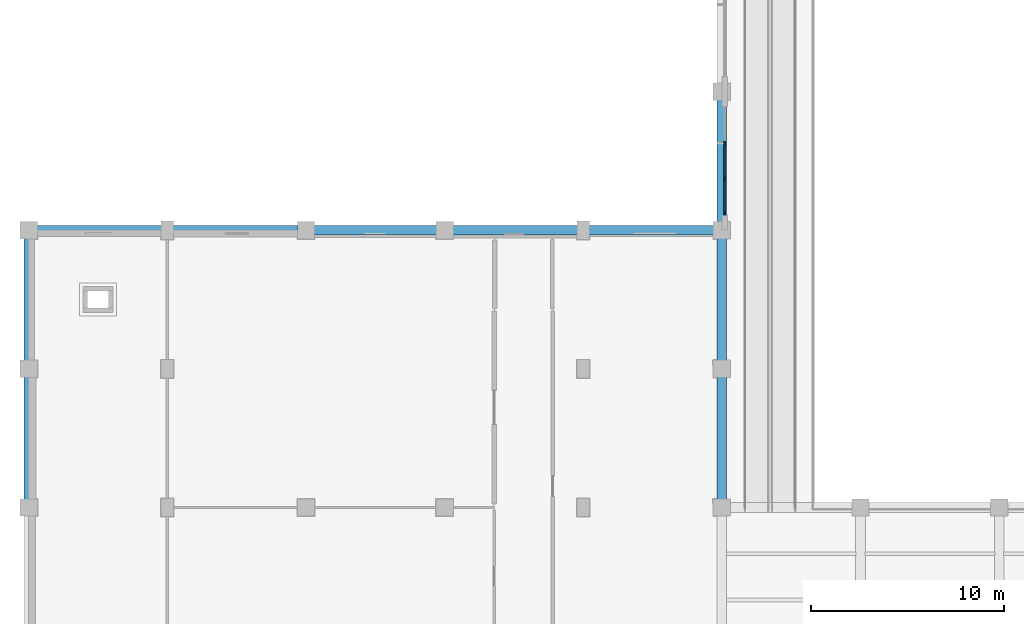
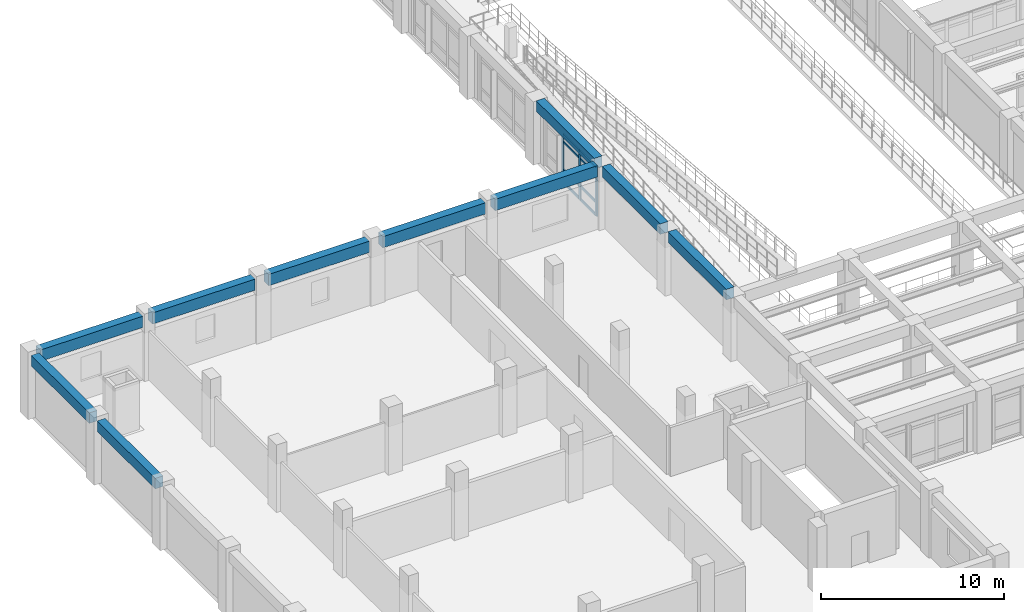
# One storey, part 6 of 69: 11 members, 10 beams, 1 element without a shape of its own.
"""IFC4 building model written with IfcOpenShell, lengths in metres."""

from ifc_helpers import new_model, si_unit, direction, frame, origin, origin_2d, place, context, subcontext, project, spatial, rectangle, extrude, material, layer, layer_set, material_profile, profile_set, type_object, element, aggregate, save


model = new_model("IFC4")

# Units and contexts
model_context = context("Model", 3, precision=1e-05, world=origin(), true_north=direction((0.0, 1.0)))
body_context = subcontext(model_context, "Body", "Model", "MODEL_VIEW")
ifc_project = project(units=[si_unit("LENGTHUNIT", "METRE"), si_unit("AREAUNIT", "SQUARE_METRE"), si_unit("VOLUMEUNIT", "CUBIC_METRE"), si_unit("PLANEANGLEUNIT", "RADIAN"), si_unit("MASSUNIT", "GRAM", prefix="KILO")], contexts=[model_context])

# Site, building, storey
site_placement = place(None, origin())
site = spatial("IfcSite", under=ifc_project, at=site_placement, CompositionType="ELEMENT")
building_placement = place(site_placement, origin())
building = spatial("IfcBuilding", under=site, at=building_placement, Name="Solenvale Faculty of Natural Sciences", CompositionType="ELEMENT")
storey_placement = place(building_placement, frame((0.0, 0.0, 4.5)))
storey = spatial("IfcBuildingStorey", under=building, at=storey_placement, Name="L01", CompositionType="ELEMENT", Elevation=4.5)

# Beams
ifc_material_1 = material(Name="Concrete 40 MPa", Category="concrete")
ifc_material_profile_1 = material_profile(ifc_material_1, rectangle(XDim=0.5, YDim=0.699951171875, at=origin_2d()), Name="RC-BM-500x700")
ifc_profile_set_1 = profile_set([ifc_material_profile_1], Name="Concrete 40 MPa")
beam_type_1 = type_object("IfcBeamType", Name="BM-RC-500x700", PredefinedType="BEAM", material=ifc_profile_set_1)
for number, where, z_axis, x_axis, name in (
    (1, (0.0, 29.22998046875, 3.8701171875), (0.0, 1.0, 0.0), (-1.0, 0.0, 0.0), "L01 Y-Girder X0.0 (28.8..36.0)"),
    (2, (0.0, 36.429931640625, 3.8701171875), (0.0, 1.0, 0.0), (-1.0, 0.0, 0.0), "L01 Y-Girder X0.0 (36.0..43.2)"),
    (3, (36.0, 29.22998046875, 3.8701171875), (0.0, 1.0, 0.0), (-1.0, 0.0, 0.0), "L01 Y-Girder X36.0 (28.8..36.0)"),
    (4, (36.0, 36.429931640625, 3.8701171875), (0.0, 1.0, 0.0), (-1.0, 0.0, 0.0), "L01 Y-Girder X36.0 (36.0..43.2)"),
    (5, (36.0, 43.6298828125, 3.8701171875), (0.0, 1.0, 0.0), (-1.0, 0.0, 0.0), "L01 Y-Girder X36.0 (43.2..50.4)"),
):
    element("IfcBeam", number, at=place(storey_placement, frame(where, z_axis=z_axis, x_axis=x_axis)), inside=storey, type_object=beam_type_1, Name=name, PredefinedType="BEAM", context=body_context, shape_type="SweptSolid", body=[
        extrude(rectangle(XDim=0.5, YDim=0.699951171875, at=origin_2d()), origin(), (0.0, 0.0, 1.0), 6.340087890625),
    ])
ifc_material_profile_2 = material_profile(ifc_material_1, rectangle(XDim=0.5, YDim=0.75, at=origin_2d()), Name="RC-BM-500x750")
ifc_profile_set_2 = profile_set([ifc_material_profile_2], Name="Concrete 40 MPa")
beam_type_2 = type_object("IfcBeamType", Name="BM-RC-500x750", PredefinedType="BEAM", material=ifc_profile_set_2)
for number, where, z_axis, x_axis, name in (
    (6, (0.429931640625, 43.199951171875, 3.844970703125), (1.0, 0.0, 0.0), (0.0, 1.0, 0.0), "L01 X-Girder Y43.2 (0.0..7.2)"),
    (7, (7.5048828125, 43.199951171875, 3.844970703125), (1.0, 0.0, 0.0), (0.0, 1.0, 0.0), "L01 X-Girder Y43.2 (7.2..14.4)"),
):
    element("IfcBeam", number, at=place(storey_placement, frame(where, z_axis=z_axis, x_axis=x_axis)), inside=storey, type_object=beam_type_2, Name=name, PredefinedType="BEAM", context=body_context, shape_type="SweptSolid", body=[
        extrude(rectangle(XDim=0.5, YDim=0.75, at=origin_2d()), origin(), (0.0, 0.0, 1.0), 6.465087890625),
    ])
beam_placement = place(storey_placement, frame((14.830078125, 43.199951171875, 3.844970703125), z_axis=(1.0, 0.0, 0.0), x_axis=(0.0, 1.0, 0.0)))
element("IfcBeam", 8, at=beam_placement, inside=storey, type_object=beam_type_2, Name="L01 X-Girder Y43.2 (14.4..21.6)", PredefinedType="BEAM", context=body_context, shape_type="SweptSolid", body=[
    extrude(rectangle(XDim=0.5, YDim=0.75, at=origin_2d()), origin(), (0.0, 0.0, 1.0), 6.33984375),
])
for number, where, z_axis, x_axis, name in (
    (9, (22.030029296875, 43.199951171875, 3.844970703125), (1.0, 0.0, 0.0), (0.0, 1.0, 0.0), "L01 X-Girder Y43.2 (21.6..28.8)"),
    (10, (29.10498046875, 43.199951171875, 3.844970703125), (1.0, 0.0, 0.0), (0.0, 1.0, 0.0), "L01 X-Girder Y43.2 (28.8..36.0)"),
):
    element("IfcBeam", number, at=place(storey_placement, frame(where, z_axis=z_axis, x_axis=x_axis)), inside=storey, type_object=beam_type_2, Name=name, PredefinedType="BEAM", context=body_context, shape_type="SweptSolid", body=[
        extrude(rectangle(XDim=0.5, YDim=0.75, at=origin_2d()), origin(), (0.0, 0.0, 1.0), 6.465087890625),
    ])

# Curtain wall, members
ifc_material_2 = material(Name="Anodised bronze aluminium", Category="aluminium")
ifc_layer = layer(ifc_material_2, 0.215087890625)
ifc_layer_set = layer_set([ifc_layer], Name="Anodised bronze aluminium")
curtain_wall_type = type_object("IfcCurtainWallType", Name="CW-ATR-UNIT", PredefinedType="USERDEFINED", material=ifc_layer_set)
curtain_wall_placement = place(storey_placement, origin())
curtain_wall = element("IfcCurtainWall", 11, at=curtain_wall_placement, inside=storey, type_object=curtain_wall_type, Name="L01 Curtain Wall CW-L01-P1-E14-B7", ObjectType="UNITISED CURTAIN WALL", PredefinedType="USERDEFINED")
ifc_material_profile_3 = material_profile(ifc_material_2, rectangle(XDim=0.074951171875, YDim=0.2099609375, at=origin_2d()), Name="ALU-MUL-75x210")
ifc_profile_set_3 = profile_set([ifc_material_profile_3], Name="Anodised bronze aluminium")
member_type_1 = type_object("IfcMemberType", Name="CWM-ALU-75x210", PredefinedType="MULLION", material=ifc_profile_set_3)
member_1_placement = place(storey_placement, frame((36.142578125, 47.716552734375, 0.0), z_axis=(0.0, 0.0, 1.0), x_axis=(1.0, 0.0, 0.0)))
member_1 = element("IfcMember", 12, at=member_1_placement, type_object=member_type_1, Name="CW-01 mullion 2", PredefinedType="MULLION", context=body_context, shape_type="SweptSolid", body=[
    extrude(rectangle(XDim=0.074951171875, YDim=0.2099609375, at=origin_2d()), origin(), (0.0, 0.0, 1.0), 3.260009765625),
])
member_2_placement = place(storey_placement, frame((36.142578125, 45.88330078125, 0.0), z_axis=(0.0, 0.0, 1.0), x_axis=(1.0, 0.0, 0.0)))
member_2 = element("IfcMember", 13, at=member_2_placement, type_object=member_type_1, Name="CW-01 mullion 3", PredefinedType="MULLION", context=body_context, shape_type="SweptSolid", body=[
    extrude(rectangle(XDim=0.074951171875, YDim=0.2099609375, at=origin_2d()), origin(), (0.0, 0.0, 1.0), 3.260009765625),
])
member_3_placement = place(storey_placement, frame((36.142578125, 44.08740234375, 0.0), z_axis=(0.0, 0.0, 1.0), x_axis=(1.0, 0.0, 0.0)))
member_3 = element("IfcMember", 14, at=member_3_placement, type_object=member_type_1, Name="CW-01 mullion 4", PredefinedType="MULLION", context=body_context, shape_type="SweptSolid", body=[
    extrude(rectangle(XDim=0.074951171875, YDim=0.2099609375, at=origin_2d()), origin(), (0.0, 0.0, 1.0), 3.260009765625),
])
ifc_material_profile_4 = material_profile(ifc_material_2, rectangle(XDim=0.074951171875, YDim=0.155029296875, at=origin_2d()), Name="ALU-TRN-75x155")
ifc_profile_set_4 = profile_set([ifc_material_profile_4], Name="Anodised bronze aluminium")
member_type_2 = type_object("IfcMemberType", Name="CWT-ALU-75x155", PredefinedType="USERDEFINED", material=ifc_profile_set_4)
member_4_placement = place(storey_placement, frame((36.142578125, 47.67919921875, 0.03759765625), z_axis=(0.0, -1.0, 0.0), x_axis=(1.0, 0.0, 0.0)))
member_4 = element("IfcMember", 15, at=member_4_placement, type_object=member_type_2, Name="CW-01 transom 2.1", ObjectType="TRANSOM", PredefinedType="USERDEFINED", context=body_context, shape_type="SweptSolid", body=[
    extrude(rectangle(XDim=0.074951171875, YDim=0.155029296875, at=origin_2d()), origin(), (0.0, 0.0, 1.0), 1.75830078125),
])
member_5_placement = place(storey_placement, frame((36.142578125, 47.67919921875, 0.89990234375), z_axis=(0.0, -1.0, 0.0), x_axis=(1.0, 0.0, 0.0)))
member_5 = element("IfcMember", 16, at=member_5_placement, type_object=member_type_2, Name="CW-01 transom 2.2", ObjectType="TRANSOM", PredefinedType="USERDEFINED", context=body_context, shape_type="SweptSolid", body=[
    extrude(rectangle(XDim=0.074951171875, YDim=0.155029296875, at=origin_2d()), origin(), (0.0, 0.0, 1.0), 1.75830078125),
])
member_6_placement = place(storey_placement, frame((36.142578125, 47.67919921875, 2.760009765625), z_axis=(0.0, -1.0, 0.0), x_axis=(1.0, 0.0, 0.0)))
member_6 = element("IfcMember", 17, at=member_6_placement, type_object=member_type_2, Name="CW-01 transom 2.3", ObjectType="TRANSOM", PredefinedType="USERDEFINED", context=body_context, shape_type="SweptSolid", body=[
    extrude(rectangle(XDim=0.074951171875, YDim=0.155029296875, at=origin_2d()), origin(), (0.0, 0.0, 1.0), 1.75830078125),
])
member_7_placement = place(storey_placement, frame((36.142578125, 47.67919921875, 3.222412109375), z_axis=(0.0, -1.0, 0.0), x_axis=(1.0, 0.0, 0.0)))
member_7 = element("IfcMember", 18, at=member_7_placement, type_object=member_type_2, Name="CW-01 transom 2.4", ObjectType="TRANSOM", PredefinedType="USERDEFINED", context=body_context, shape_type="SweptSolid", body=[
    extrude(rectangle(XDim=0.074951171875, YDim=0.155029296875, at=origin_2d()), origin(), (0.0, 0.0, 1.0), 1.75830078125),
])
member_8_placement = place(storey_placement, frame((36.142578125, 45.845947265625, 0.03759765625), z_axis=(0.0, -1.0, 0.0), x_axis=(1.0, 0.0, 0.0)))
member_8 = element("IfcMember", 19, at=member_8_placement, type_object=member_type_2, Name="CW-01 transom 3.1", ObjectType="TRANSOM", PredefinedType="USERDEFINED", context=body_context, shape_type="SweptSolid", body=[
    extrude(rectangle(XDim=0.074951171875, YDim=0.155029296875, at=origin_2d()), origin(), (0.0, 0.0, 1.0), 1.720947265625),
])
member_9_placement = place(storey_placement, frame((36.142578125, 45.845947265625, 0.89990234375), z_axis=(0.0, -1.0, 0.0), x_axis=(1.0, 0.0, 0.0)))
member_9 = element("IfcMember", 20, at=member_9_placement, type_object=member_type_2, Name="CW-01 transom 3.2", ObjectType="TRANSOM", PredefinedType="USERDEFINED", context=body_context, shape_type="SweptSolid", body=[
    extrude(rectangle(XDim=0.074951171875, YDim=0.155029296875, at=origin_2d()), origin(), (0.0, 0.0, 1.0), 1.720947265625),
])
member_10_placement = place(storey_placement, frame((36.142578125, 45.845947265625, 2.760009765625), z_axis=(0.0, -1.0, 0.0), x_axis=(1.0, 0.0, 0.0)))
member_10 = element("IfcMember", 21, at=member_10_placement, type_object=member_type_2, Name="CW-01 transom 3.3", ObjectType="TRANSOM", PredefinedType="USERDEFINED", context=body_context, shape_type="SweptSolid", body=[
    extrude(rectangle(XDim=0.074951171875, YDim=0.155029296875, at=origin_2d()), origin(), (0.0, 0.0, 1.0), 1.720947265625),
])
member_11_placement = place(storey_placement, frame((36.142578125, 45.845947265625, 3.222412109375), z_axis=(0.0, -1.0, 0.0), x_axis=(1.0, 0.0, 0.0)))
member_11 = element("IfcMember", 22, at=member_11_placement, type_object=member_type_2, Name="CW-01 transom 3.4", ObjectType="TRANSOM", PredefinedType="USERDEFINED", context=body_context, shape_type="SweptSolid", body=[
    extrude(rectangle(XDim=0.074951171875, YDim=0.155029296875, at=origin_2d()), origin(), (0.0, 0.0, 1.0), 1.720947265625),
])
aggregate(curtain_wall, [member_1, member_2, member_3, member_4, member_5, member_6, member_7, member_8, member_9, member_10, member_11])

save(model, "model.ifc")
